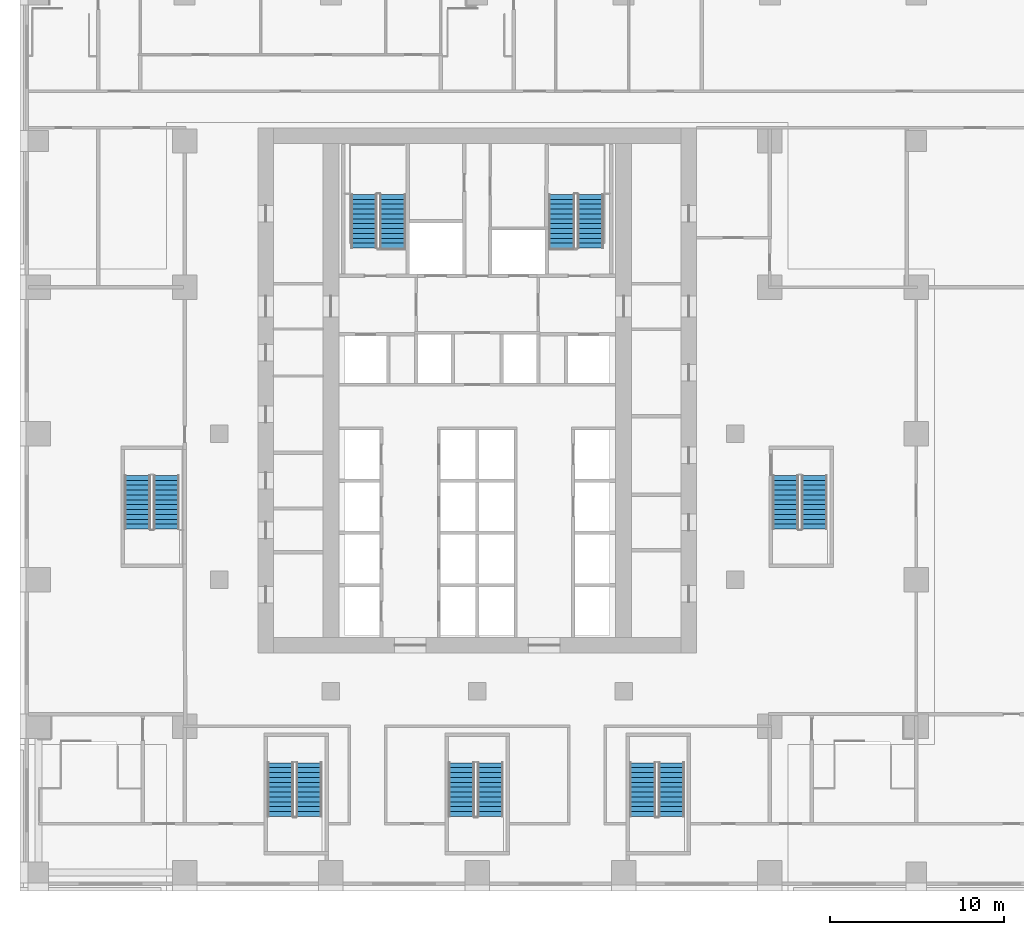
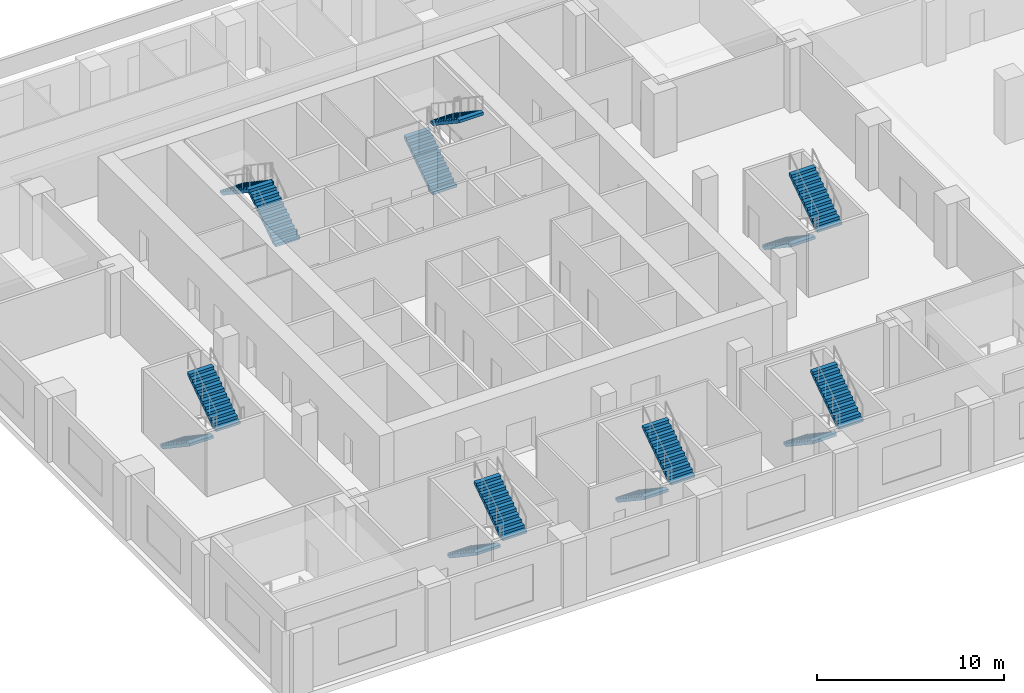
# One storey, part 10 of 16: 14 stair flights, 7 elements without a shape of their own.
"""IFC4 building model written with IfcOpenShell, lengths in metres."""

from ifc_helpers import new_model, si_unit, direction, frame, origin, place, context, subcontext, project, spatial, polyline, outline, extrude, material, type_object, element, aggregate, save


model = new_model("IFC4")

# Units and contexts
model_context = context("Model", 3, precision=1e-05, world=origin(), true_north=direction((0.0, 1.0)))
body_context = subcontext(model_context, "Body", "Model", "MODEL_VIEW")
ifc_project = project(units=[si_unit("LENGTHUNIT", "METRE"), si_unit("AREAUNIT", "SQUARE_METRE"), si_unit("VOLUMEUNIT", "CUBIC_METRE"), si_unit("PLANEANGLEUNIT", "RADIAN"), si_unit("MASSUNIT", "GRAM", prefix="KILO")], contexts=[model_context])

# Site, building, storey
site_placement = place(None, origin())
site = spatial("IfcSite", under=ifc_project, at=site_placement, CompositionType="ELEMENT")
building_placement = place(site_placement, origin())
building = spatial("IfcBuilding", under=site, at=building_placement, Name="Vermilion Ogive Tower", CompositionType="ELEMENT")
storey_placement = place(building_placement, frame((0.0, 0.0, 30.0)))
storey = spatial("IfcBuildingStorey", under=building, at=storey_placement, Name="L05", CompositionType="ELEMENT", Elevation=30.0)

# Stair, stair flights
ifc_material_1 = material(Name="Concrete B40", Category="concrete")
stair_type = type_object("IfcStairType", Name="Exit stair 1500", PredefinedType="HALF_TURN_STAIR", material=ifc_material_1)
stair_1_placement = place(storey_placement, origin())
stair_1 = element("IfcStair", 1, at=stair_1_placement, inside=storey, type_object=stair_type, Name="L05 Exit Stair ST1", PredefinedType="HALF_TURN_STAIR")
ifc_material_2 = material(Name="Concrete B40", Category="concrete")
stair_flight_type = type_object("IfcStairFlightType", Name="Stair flight 1500", PredefinedType="STRAIGHT", material=ifc_material_2)
stair_flight_1_placement = place(storey_placement, frame((-4.85009765625, 14.85009765625, 0.0), z_axis=(0.0, 0.0, 1.0), x_axis=(0.0, 1.0, 0.0)))
stair_flight_1 = element("IfcStairFlight", 2, at=stair_flight_1_placement, type_object=stair_flight_type, Name="ST1 flight 1", NumberOfRisers=12, NumberOfTreads=11, PredefinedType="STRAIGHT", RiserHeight=0.1875, TreadLength=0.28, context=body_context, shape_type="SweptSolid", body=[
    extrude(outline(polyline([(0.0, 0.0), (0.0, 0.1875), (0.280029296875, 0.1875), (0.280029296875, 0.375), (0.56005859375, 0.375), (0.56005859375, 0.5625), (0.840087890625, 0.5625), (0.840087890625, 0.75), (1.1201171875, 0.75), (1.1201171875, 0.9375), (1.39990234375, 0.9375), (1.39990234375, 1.125), (1.679931640625, 1.125), (1.679931640625, 1.3125), (1.9599609375, 1.3125), (1.9599609375, 1.5), (2.239990234375, 1.5), (2.239990234375, 1.6875), (2.52001953125, 1.6875), (2.52001953125, 1.875), (2.800048828125, 1.875), (2.800048828125, 2.0625), (3.080078125, 2.0625), (3.080078125, 2.25), (3.080078125, 1.882080078125), (0.26953125, 0.0), (0.0, 0.0)])), frame((0.0, 0.75, 0.0), z_axis=(0.0, -1.0, 0.0), x_axis=(1.0, 0.0, 0.0)), (0.0, 0.0, 1.0), 1.5),
])
stair_flight_2_placement = place(storey_placement, frame((-6.5, 17.929931640625, 2.25), z_axis=(0.0, 0.0, 1.0), x_axis=(0.0, -1.0, 0.0)))
stair_flight_2 = element("IfcStairFlight", 3, at=stair_flight_2_placement, type_object=stair_flight_type, Name="ST1 flight 2", NumberOfRisers=12, NumberOfTreads=11, PredefinedType="STRAIGHT", RiserHeight=0.1875, TreadLength=0.28, context=body_context, shape_type="SweptSolid", body=[
    extrude(outline(polyline([(0.0, 0.0), (0.0, 0.1875), (0.280029296875, 0.1875), (0.280029296875, 0.375), (0.56005859375, 0.375), (0.56005859375, 0.5625), (0.840087890625, 0.5625), (0.840087890625, 0.75), (1.1201171875, 0.75), (1.1201171875, 0.9375), (1.39990234375, 0.9375), (1.39990234375, 1.125), (1.679931640625, 1.125), (1.679931640625, 1.3125), (1.9599609375, 1.3125), (1.9599609375, 1.5), (2.239990234375, 1.5), (2.239990234375, 1.6875), (2.52001953125, 1.6875), (2.52001953125, 1.875), (2.800048828125, 1.875), (2.800048828125, 2.0625), (3.080078125, 2.0625), (3.080078125, 2.25), (3.080078125, 1.882080078125), (0.26953125, 0.0), (0.0, 0.0)])), frame((0.0, 0.75, 0.0), z_axis=(0.0, -1.0, 0.0), x_axis=(1.0, 0.0, 0.0)), (0.0, 0.0, 1.0), 1.5),
])
aggregate(stair_1, [stair_flight_1, stair_flight_2])

stair_2_placement = place(storey_placement, origin())
stair_2 = element("IfcStair", 4, at=stair_2_placement, inside=storey, type_object=stair_type, Name="L05 Exit Stair ST2", PredefinedType="HALF_TURN_STAIR")
stair_flight_3_placement = place(storey_placement, frame((4.85009765625, 14.85009765625, 0.0), z_axis=(0.0, 0.0, 1.0), x_axis=(0.0, 1.0, 0.0)))
stair_flight_3 = element("IfcStairFlight", 5, at=stair_flight_3_placement, type_object=stair_flight_type, Name="ST2 flight 1", NumberOfRisers=12, NumberOfTreads=11, PredefinedType="STRAIGHT", RiserHeight=0.1875, TreadLength=0.28, context=body_context, shape_type="SweptSolid", body=[
    extrude(outline(polyline([(0.0, 0.0), (0.0, 0.1875), (0.280029296875, 0.1875), (0.280029296875, 0.375), (0.56005859375, 0.375), (0.56005859375, 0.5625), (0.840087890625, 0.5625), (0.840087890625, 0.75), (1.1201171875, 0.75), (1.1201171875, 0.9375), (1.39990234375, 0.9375), (1.39990234375, 1.125), (1.679931640625, 1.125), (1.679931640625, 1.3125), (1.9599609375, 1.3125), (1.9599609375, 1.5), (2.239990234375, 1.5), (2.239990234375, 1.6875), (2.52001953125, 1.6875), (2.52001953125, 1.875), (2.800048828125, 1.875), (2.800048828125, 2.0625), (3.080078125, 2.0625), (3.080078125, 2.25), (3.080078125, 1.882080078125), (0.26953125, 0.0), (0.0, 0.0)])), frame((0.0, 0.75, 0.0), z_axis=(0.0, -1.0, 0.0), x_axis=(1.0, 0.0, 0.0)), (0.0, 0.0, 1.0), 1.5),
])
stair_flight_4_placement = place(storey_placement, frame((6.5, 17.929931640625, 2.25), z_axis=(0.0, 0.0, 1.0), x_axis=(0.0, -1.0, 0.0)))
stair_flight_4 = element("IfcStairFlight", 6, at=stair_flight_4_placement, type_object=stair_flight_type, Name="ST2 flight 2", NumberOfRisers=12, NumberOfTreads=11, PredefinedType="STRAIGHT", RiserHeight=0.1875, TreadLength=0.28, context=body_context, shape_type="SweptSolid", body=[
    extrude(outline(polyline([(0.0, 0.0), (0.0, 0.1875), (0.280029296875, 0.1875), (0.280029296875, 0.375), (0.56005859375, 0.375), (0.56005859375, 0.5625), (0.840087890625, 0.5625), (0.840087890625, 0.75), (1.1201171875, 0.75), (1.1201171875, 0.9375), (1.39990234375, 0.9375), (1.39990234375, 1.125), (1.679931640625, 1.125), (1.679931640625, 1.3125), (1.9599609375, 1.3125), (1.9599609375, 1.5), (2.239990234375, 1.5), (2.239990234375, 1.6875), (2.52001953125, 1.6875), (2.52001953125, 1.875), (2.800048828125, 1.875), (2.800048828125, 2.0625), (3.080078125, 2.0625), (3.080078125, 2.25), (3.080078125, 1.882080078125), (0.26953125, 0.0), (0.0, 0.0)])), frame((0.0, 0.75, 0.0), z_axis=(0.0, -1.0, 0.0), x_axis=(1.0, 0.0, 0.0)), (0.0, 0.0, 1.0), 1.5),
])
aggregate(stair_2, [stair_flight_3, stair_flight_4])

stair_3_placement = place(storey_placement, origin())
stair_3 = element("IfcStair", 7, at=stair_3_placement, inside=storey, type_object=stair_type, Name="L05 Exit Stair ST3", PredefinedType="HALF_TURN_STAIR")
stair_flight_5_placement = place(storey_placement, frame((-11.300048828125, -14.699951171875, 0.0), z_axis=(0.0, 0.0, 1.0), x_axis=(0.0, -1.0, 0.0)))
stair_flight_5 = element("IfcStairFlight", 8, at=stair_flight_5_placement, type_object=stair_flight_type, Name="ST3 flight 1", NumberOfRisers=12, NumberOfTreads=11, PredefinedType="STRAIGHT", RiserHeight=0.1875, TreadLength=0.28, context=body_context, shape_type="SweptSolid", body=[
    extrude(outline(polyline([(0.0, 0.0), (0.0, 0.1875), (0.280029296875, 0.1875), (0.280029296875, 0.375), (0.56005859375, 0.375), (0.56005859375, 0.5625), (0.840087890625, 0.5625), (0.840087890625, 0.75), (1.1201171875, 0.75), (1.1201171875, 0.9375), (1.39990234375, 0.9375), (1.39990234375, 1.125), (1.679931640625, 1.125), (1.679931640625, 1.3125), (1.9599609375, 1.3125), (1.9599609375, 1.5), (2.239990234375, 1.5), (2.239990234375, 1.6875), (2.52001953125, 1.6875), (2.52001953125, 1.875), (2.800048828125, 1.875), (2.800048828125, 2.0625), (3.080078125, 2.0625), (3.080078125, 2.25), (3.080078125, 1.882080078125), (0.26953125, 0.0), (0.0, 0.0)])), frame((0.0, 0.75, 0.0), z_axis=(0.0, -1.0, 0.0), x_axis=(1.0, 0.0, 0.0)), (0.0, 0.0, 1.0), 1.5),
])
stair_flight_6_placement = place(storey_placement, frame((-9.64990234375, -17.780029296875, 2.25), z_axis=(0.0, 0.0, 1.0), x_axis=(0.0, 1.0, 0.0)))
stair_flight_6 = element("IfcStairFlight", 9, at=stair_flight_6_placement, type_object=stair_flight_type, Name="ST3 flight 2", NumberOfRisers=12, NumberOfTreads=11, PredefinedType="STRAIGHT", RiserHeight=0.1875, TreadLength=0.28, context=body_context, shape_type="SweptSolid", body=[
    extrude(outline(polyline([(0.0, 0.0), (0.0, 0.1875), (0.280029296875, 0.1875), (0.280029296875, 0.375), (0.56005859375, 0.375), (0.56005859375, 0.5625), (0.840087890625, 0.5625), (0.840087890625, 0.75), (1.1201171875, 0.75), (1.1201171875, 0.9375), (1.39990234375, 0.9375), (1.39990234375, 1.125), (1.679931640625, 1.125), (1.679931640625, 1.3125), (1.9599609375, 1.3125), (1.9599609375, 1.5), (2.239990234375, 1.5), (2.239990234375, 1.6875), (2.52001953125, 1.6875), (2.52001953125, 1.875), (2.800048828125, 1.875), (2.800048828125, 2.0625), (3.080078125, 2.0625), (3.080078125, 2.25), (3.080078125, 1.882080078125), (0.26953125, 0.0), (0.0, 0.0)])), frame((0.0, 0.75, 0.0), z_axis=(0.0, -1.0, 0.0), x_axis=(1.0, 0.0, 0.0)), (0.0, 0.0, 1.0), 1.5),
])
aggregate(stair_3, [stair_flight_5, stair_flight_6])

stair_4_placement = place(storey_placement, origin())
stair_4 = element("IfcStair", 10, at=stair_4_placement, inside=storey, type_object=stair_type, Name="L05 Exit Stair ST4", PredefinedType="HALF_TURN_STAIR")
stair_flight_7_placement = place(storey_placement, frame((-0.89990234375, -14.699951171875, 0.0), z_axis=(0.0, 0.0, 1.0), x_axis=(0.0, -1.0, 0.0)))
stair_flight_7 = element("IfcStairFlight", 11, at=stair_flight_7_placement, type_object=stair_flight_type, Name="ST4 flight 1", NumberOfRisers=12, NumberOfTreads=11, PredefinedType="STRAIGHT", RiserHeight=0.1875, TreadLength=0.28, context=body_context, shape_type="SweptSolid", body=[
    extrude(outline(polyline([(0.0, 0.0), (0.0, 0.1875), (0.280029296875, 0.1875), (0.280029296875, 0.375), (0.56005859375, 0.375), (0.56005859375, 0.5625), (0.840087890625, 0.5625), (0.840087890625, 0.75), (1.1201171875, 0.75), (1.1201171875, 0.9375), (1.39990234375, 0.9375), (1.39990234375, 1.125), (1.679931640625, 1.125), (1.679931640625, 1.3125), (1.9599609375, 1.3125), (1.9599609375, 1.5), (2.239990234375, 1.5), (2.239990234375, 1.6875), (2.52001953125, 1.6875), (2.52001953125, 1.875), (2.800048828125, 1.875), (2.800048828125, 2.0625), (3.080078125, 2.0625), (3.080078125, 2.25), (3.080078125, 1.882080078125), (0.26953125, 0.0), (0.0, 0.0)])), frame((0.0, 0.75, 0.0), z_axis=(0.0, -1.0, 0.0), x_axis=(1.0, 0.0, 0.0)), (0.0, 0.0, 1.0), 1.5),
])
stair_flight_8_placement = place(storey_placement, frame((0.75, -17.780029296875, 2.25), z_axis=(0.0, 0.0, 1.0), x_axis=(0.0, 1.0, 0.0)))
stair_flight_8 = element("IfcStairFlight", 12, at=stair_flight_8_placement, type_object=stair_flight_type, Name="ST4 flight 2", NumberOfRisers=12, NumberOfTreads=11, PredefinedType="STRAIGHT", RiserHeight=0.1875, TreadLength=0.28, context=body_context, shape_type="SweptSolid", body=[
    extrude(outline(polyline([(0.0, 0.0), (0.0, 0.1875), (0.280029296875, 0.1875), (0.280029296875, 0.375), (0.56005859375, 0.375), (0.56005859375, 0.5625), (0.840087890625, 0.5625), (0.840087890625, 0.75), (1.1201171875, 0.75), (1.1201171875, 0.9375), (1.39990234375, 0.9375), (1.39990234375, 1.125), (1.679931640625, 1.125), (1.679931640625, 1.3125), (1.9599609375, 1.3125), (1.9599609375, 1.5), (2.239990234375, 1.5), (2.239990234375, 1.6875), (2.52001953125, 1.6875), (2.52001953125, 1.875), (2.800048828125, 1.875), (2.800048828125, 2.0625), (3.080078125, 2.0625), (3.080078125, 2.25), (3.080078125, 1.882080078125), (0.26953125, 0.0), (0.0, 0.0)])), frame((0.0, 0.75, 0.0), z_axis=(0.0, -1.0, 0.0), x_axis=(1.0, 0.0, 0.0)), (0.0, 0.0, 1.0), 1.5),
])
aggregate(stair_4, [stair_flight_7, stair_flight_8])

stair_5_placement = place(storey_placement, origin())
stair_5 = element("IfcStair", 13, at=stair_5_placement, inside=storey, type_object=stair_type, Name="L05 Exit Stair ST5", PredefinedType="HALF_TURN_STAIR")
stair_flight_9_placement = place(storey_placement, frame((9.5, -14.699951171875, 0.0), z_axis=(0.0, 0.0, 1.0), x_axis=(0.0, -1.0, 0.0)))
stair_flight_9 = element("IfcStairFlight", 14, at=stair_flight_9_placement, type_object=stair_flight_type, Name="ST5 flight 1", NumberOfRisers=12, NumberOfTreads=11, PredefinedType="STRAIGHT", RiserHeight=0.1875, TreadLength=0.28, context=body_context, shape_type="SweptSolid", body=[
    extrude(outline(polyline([(0.0, 0.0), (0.0, 0.1875), (0.280029296875, 0.1875), (0.280029296875, 0.375), (0.56005859375, 0.375), (0.56005859375, 0.5625), (0.840087890625, 0.5625), (0.840087890625, 0.75), (1.1201171875, 0.75), (1.1201171875, 0.9375), (1.39990234375, 0.9375), (1.39990234375, 1.125), (1.679931640625, 1.125), (1.679931640625, 1.3125), (1.9599609375, 1.3125), (1.9599609375, 1.5), (2.239990234375, 1.5), (2.239990234375, 1.6875), (2.52001953125, 1.6875), (2.52001953125, 1.875), (2.800048828125, 1.875), (2.800048828125, 2.0625), (3.080078125, 2.0625), (3.080078125, 2.25), (3.080078125, 1.882080078125), (0.26953125, 0.0), (0.0, 0.0)])), frame((0.0, 0.75, 0.0), z_axis=(0.0, -1.0, 0.0), x_axis=(1.0, 0.0, 0.0)), (0.0, 0.0, 1.0), 1.5),
])
stair_flight_10_placement = place(storey_placement, frame((11.14990234375, -17.780029296875, 2.25), z_axis=(0.0, 0.0, 1.0), x_axis=(0.0, 1.0, 0.0)))
stair_flight_10 = element("IfcStairFlight", 15, at=stair_flight_10_placement, type_object=stair_flight_type, Name="ST5 flight 2", NumberOfRisers=12, NumberOfTreads=11, PredefinedType="STRAIGHT", RiserHeight=0.1875, TreadLength=0.28, context=body_context, shape_type="SweptSolid", body=[
    extrude(outline(polyline([(0.0, 0.0), (0.0, 0.1875), (0.280029296875, 0.1875), (0.280029296875, 0.375), (0.56005859375, 0.375), (0.56005859375, 0.5625), (0.840087890625, 0.5625), (0.840087890625, 0.75), (1.1201171875, 0.75), (1.1201171875, 0.9375), (1.39990234375, 0.9375), (1.39990234375, 1.125), (1.679931640625, 1.125), (1.679931640625, 1.3125), (1.9599609375, 1.3125), (1.9599609375, 1.5), (2.239990234375, 1.5), (2.239990234375, 1.6875), (2.52001953125, 1.6875), (2.52001953125, 1.875), (2.800048828125, 1.875), (2.800048828125, 2.0625), (3.080078125, 2.0625), (3.080078125, 2.25), (3.080078125, 1.882080078125), (0.26953125, 0.0), (0.0, 0.0)])), frame((0.0, 0.75, 0.0), z_axis=(0.0, -1.0, 0.0), x_axis=(1.0, 0.0, 0.0)), (0.0, 0.0, 1.0), 1.5),
])
aggregate(stair_5, [stair_flight_9, stair_flight_10])

stair_6_placement = place(storey_placement, origin())
stair_6 = element("IfcStair", 16, at=stair_6_placement, inside=storey, type_object=stair_type, Name="L05 Exit Stair ST8", PredefinedType="HALF_TURN_STAIR")
stair_flight_11_placement = place(storey_placement, frame((17.699951171875, 1.800048828125, 0.0), z_axis=(0.0, 0.0, 1.0), x_axis=(0.0, -1.0, 0.0)))
stair_flight_11 = element("IfcStairFlight", 17, at=stair_flight_11_placement, type_object=stair_flight_type, Name="ST8 flight 1", NumberOfRisers=12, NumberOfTreads=11, PredefinedType="STRAIGHT", RiserHeight=0.1875, TreadLength=0.28, context=body_context, shape_type="SweptSolid", body=[
    extrude(outline(polyline([(0.0, 0.0), (0.0, 0.1875), (0.280029296875, 0.1875), (0.280029296875, 0.375), (0.56005859375, 0.375), (0.56005859375, 0.5625), (0.840087890625, 0.5625), (0.840087890625, 0.75), (1.1201171875, 0.75), (1.1201171875, 0.9375), (1.39990234375, 0.9375), (1.39990234375, 1.125), (1.679931640625, 1.125), (1.679931640625, 1.3125), (1.9599609375, 1.3125), (1.9599609375, 1.5), (2.239990234375, 1.5), (2.239990234375, 1.6875), (2.52001953125, 1.6875), (2.52001953125, 1.875), (2.800048828125, 1.875), (2.800048828125, 2.0625), (3.080078125, 2.0625), (3.080078125, 2.25), (3.080078125, 1.882080078125), (0.26953125, 0.0), (0.0, 0.0)])), frame((0.0, 0.75, 0.0), z_axis=(0.0, -1.0, 0.0), x_axis=(1.0, 0.0, 0.0)), (0.0, 0.0, 1.0), 1.5),
])
stair_flight_12_placement = place(storey_placement, frame((19.35009765625, -1.280029296875, 2.25), z_axis=(0.0, 0.0, 1.0), x_axis=(0.0, 1.0, 0.0)))
stair_flight_12 = element("IfcStairFlight", 18, at=stair_flight_12_placement, type_object=stair_flight_type, Name="ST8 flight 2", NumberOfRisers=12, NumberOfTreads=11, PredefinedType="STRAIGHT", RiserHeight=0.1875, TreadLength=0.28, context=body_context, shape_type="SweptSolid", body=[
    extrude(outline(polyline([(0.0, 0.0), (0.0, 0.1875), (0.280029296875, 0.1875), (0.280029296875, 0.375), (0.56005859375, 0.375), (0.56005859375, 0.5625), (0.840087890625, 0.5625), (0.840087890625, 0.75), (1.1201171875, 0.75), (1.1201171875, 0.9375), (1.39990234375, 0.9375), (1.39990234375, 1.125), (1.679931640625, 1.125), (1.679931640625, 1.3125), (1.9599609375, 1.3125), (1.9599609375, 1.5), (2.239990234375, 1.5), (2.239990234375, 1.6875), (2.52001953125, 1.6875), (2.52001953125, 1.875), (2.800048828125, 1.875), (2.800048828125, 2.0625), (3.080078125, 2.0625), (3.080078125, 2.25), (3.080078125, 1.882080078125), (0.26953125, 0.0), (0.0, 0.0)])), frame((0.0, 0.75, 0.0), z_axis=(0.0, -1.0, 0.0), x_axis=(1.0, 0.0, 0.0)), (0.0, 0.0, 1.0), 1.5),
])
aggregate(stair_6, [stair_flight_11, stair_flight_12])

stair_7_placement = place(storey_placement, origin())
stair_7 = element("IfcStair", 19, at=stair_7_placement, inside=storey, type_object=stair_type, Name="L05 Exit Stair ST9", PredefinedType="HALF_TURN_STAIR")
stair_flight_13_placement = place(storey_placement, frame((-19.5, 1.800048828125, 0.0), z_axis=(0.0, 0.0, 1.0), x_axis=(0.0, -1.0, 0.0)))
stair_flight_13 = element("IfcStairFlight", 20, at=stair_flight_13_placement, type_object=stair_flight_type, Name="ST9 flight 1", NumberOfRisers=12, NumberOfTreads=11, PredefinedType="STRAIGHT", RiserHeight=0.1875, TreadLength=0.28, context=body_context, shape_type="SweptSolid", body=[
    extrude(outline(polyline([(0.0, 0.0), (0.0, 0.1875), (0.280029296875, 0.1875), (0.280029296875, 0.375), (0.56005859375, 0.375), (0.56005859375, 0.5625), (0.840087890625, 0.5625), (0.840087890625, 0.75), (1.1201171875, 0.75), (1.1201171875, 0.9375), (1.39990234375, 0.9375), (1.39990234375, 1.125), (1.679931640625, 1.125), (1.679931640625, 1.3125), (1.9599609375, 1.3125), (1.9599609375, 1.5), (2.239990234375, 1.5), (2.239990234375, 1.6875), (2.52001953125, 1.6875), (2.52001953125, 1.875), (2.800048828125, 1.875), (2.800048828125, 2.0625), (3.080078125, 2.0625), (3.080078125, 2.25), (3.080078125, 1.882080078125), (0.26953125, 0.0), (0.0, 0.0)])), frame((0.0, 0.75, 0.0), z_axis=(0.0, -1.0, 0.0), x_axis=(1.0, 0.0, 0.0)), (0.0, 0.0, 1.0), 1.5),
])
stair_flight_14_placement = place(storey_placement, frame((-17.85009765625, -1.280029296875, 2.25), z_axis=(0.0, 0.0, 1.0), x_axis=(0.0, 1.0, 0.0)))
stair_flight_14 = element("IfcStairFlight", 21, at=stair_flight_14_placement, type_object=stair_flight_type, Name="ST9 flight 2", NumberOfRisers=12, NumberOfTreads=11, PredefinedType="STRAIGHT", RiserHeight=0.1875, TreadLength=0.28, context=body_context, shape_type="SweptSolid", body=[
    extrude(outline(polyline([(0.0, 0.0), (0.0, 0.1875), (0.280029296875, 0.1875), (0.280029296875, 0.375), (0.56005859375, 0.375), (0.56005859375, 0.5625), (0.840087890625, 0.5625), (0.840087890625, 0.75), (1.1201171875, 0.75), (1.1201171875, 0.9375), (1.39990234375, 0.9375), (1.39990234375, 1.125), (1.679931640625, 1.125), (1.679931640625, 1.3125), (1.9599609375, 1.3125), (1.9599609375, 1.5), (2.239990234375, 1.5), (2.239990234375, 1.6875), (2.52001953125, 1.6875), (2.52001953125, 1.875), (2.800048828125, 1.875), (2.800048828125, 2.0625), (3.080078125, 2.0625), (3.080078125, 2.25), (3.080078125, 1.882080078125), (0.26953125, 0.0), (0.0, 0.0)])), frame((0.0, 0.75, 0.0), z_axis=(0.0, -1.0, 0.0), x_axis=(1.0, 0.0, 0.0)), (0.0, 0.0, 1.0), 1.5),
])
aggregate(stair_7, [stair_flight_13, stair_flight_14])

save(model, "model.ifc")
